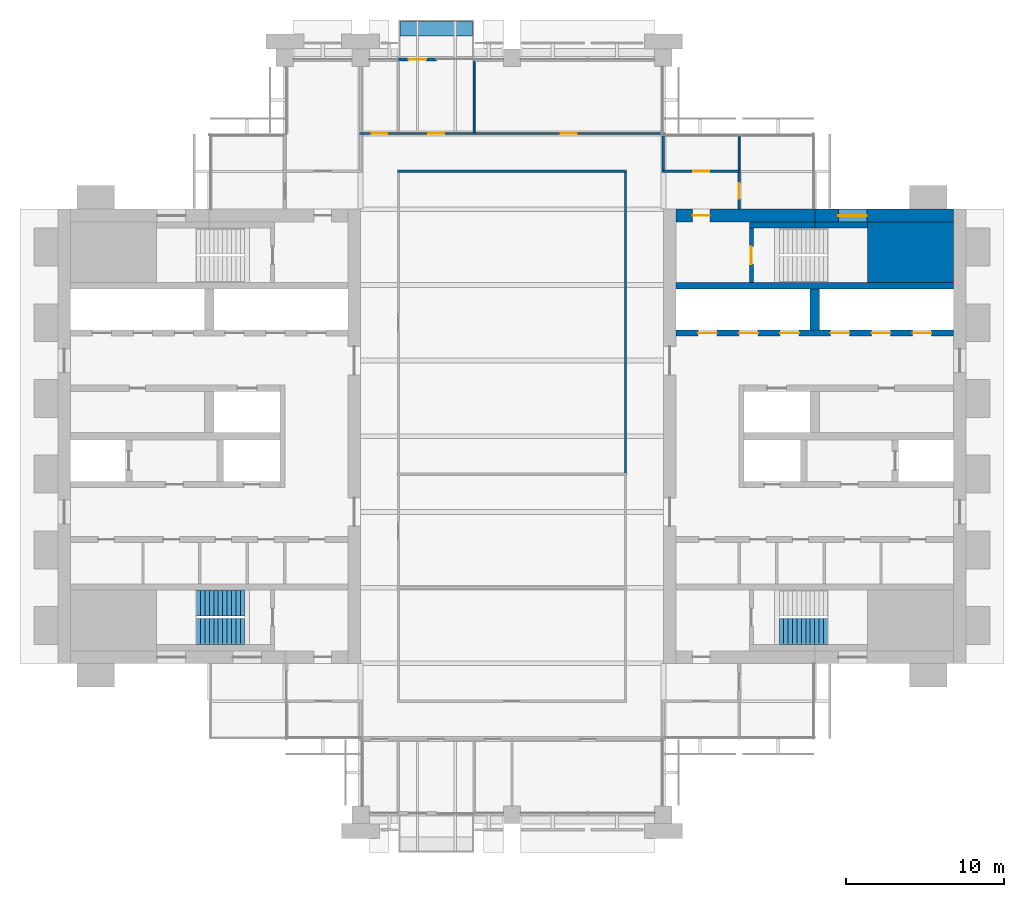
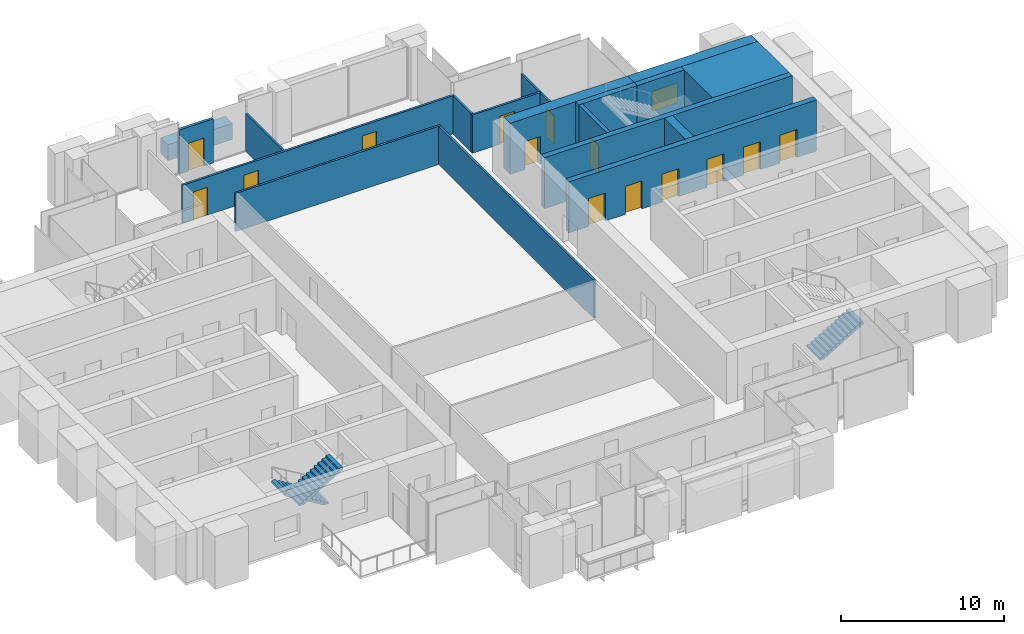
# One storey, part 11 of 14: 19 walls, 14 doors, 3 stair flights, 1 window, 15 openings, 2 elements without a shape of their own.
"""IFC4 building model written with IfcOpenShell, lengths in metres."""

from ifc_helpers import new_model, si_unit, direction, frame, frame_2d, origin, place, context, subcontext, project, spatial, polyline, rectangle, outline, extrude, material, layer, layer_set, type_object, element, fill, aggregate, save


model = new_model("IFC4")

# Units and contexts
model_context = context("Model", 3, precision=1e-05, world=origin(), true_north=direction((0.0, 1.0)))
body_context = subcontext(model_context, "Body", "Model", "MODEL_VIEW")
ifc_project = project(units=[si_unit("LENGTHUNIT", "METRE"), si_unit("AREAUNIT", "SQUARE_METRE"), si_unit("VOLUMEUNIT", "CUBIC_METRE"), si_unit("PLANEANGLEUNIT", "RADIAN"), si_unit("MASSUNIT", "GRAM", prefix="KILO")], contexts=[model_context])

# Site, building, storey
site_placement = place(None, origin())
site = spatial("IfcSite", under=ifc_project, at=site_placement, CompositionType="ELEMENT")
building_placement = place(site_placement, origin())
building = spatial("IfcBuilding", under=site, at=building_placement, Name="Baori Bourse Tower", CompositionType="ELEMENT")
storey_placement = place(building_placement, frame((0.0, 0.0, 209.199951171875)))
storey = spatial("IfcBuildingStorey", under=building, at=storey_placement, Name="L45", CompositionType="ELEMENT", Elevation=209.199951171875)

# Wall
ifc_material_1 = material(Name="Concrete f'c 50 MPa", Category="concrete")
wall_type_1 = type_object("IfcWallType", Name="Core corner block f'c 50", PredefinedType="SHEAR", material=ifc_material_1)
wall_1_placement = place(storey_placement, frame((51.35009765625, 35.675048828125, 0.0), z_axis=(0.0, 0.0, 1.0), x_axis=(1.0, 0.0, 0.0)))
element("IfcWall", 1, at=wall_1_placement, inside=storey, type_object=wall_type_1, Name="Core wall E25", PredefinedType="SHEAR", context=body_context, shape_type="SweptSolid", body=[
    extrude(rectangle(XDim=5.449951171875, YDim=3.85009765625, at=frame_2d((2.72509765625, 0.0))), origin(), (0.0, 0.0, 1.0), 3.840087890625),
])

# Wall, opening, window
ifc_material_2 = material(Name="Concrete f'c 50 MPa", Category="concrete")
ifc_layer_1 = layer(ifc_material_2, 0.800048828125)
ifc_layer_set_1 = layer_set([ifc_layer_1], Name="Core wall 800 f'c 50")
wall_type_2 = type_object("IfcWallType", Name="Core wall 800 f'c 50", PredefinedType="SHEAR", material=ifc_layer_set_1)
wall_2_placement = place(storey_placement, frame((48.0, 38.0, 0.0), z_axis=(0.0, 0.0, 1.0), x_axis=(1.0, 0.0, 0.0)))
wall_2 = element("IfcWall", 2, at=wall_2_placement, inside=storey, type_object=wall_type_2, Name="Core wall E29", PredefinedType="SHEAR", context=body_context, shape_type="SweptSolid", body=[
    extrude(rectangle(XDim=8.800048828125, YDim=0.800048828125, at=frame_2d((4.39990234375, 0.0))), origin(), (0.0, 0.0, 1.0), 3.840087890625),
])
opening_1_placement = place(wall_2_placement, frame((1.5, 0.0, 0.89990234375)))
opening_1 = element("IfcOpeningElement", 3, at=opening_1_placement, cuts=wall_2, Name="Opening L45-KW204", PredefinedType="OPENING", context=body_context, shape_type="SweptSolid", body=[
    extrude(rectangle(XDim=1.800048828125, YDim=1.5, at=frame_2d((0.89990234375, 0.75))), frame((0.0, 0.409912109375, 0.0), z_axis=(0.0, -1.0, 0.0), x_axis=(1.0, 0.0, 0.0)), (0.0, 0.0, 1.0), 0.820068359375),
])
ifc_material_3 = material(Name="Pale anodised aluminium", Category="aluminium")
window_type = type_object("IfcWindowType", Name="Stair window 1800 x 1500", PartitioningType="SINGLE_PANEL", PredefinedType="WINDOW", material=ifc_material_3)
window_placement = place(opening_1_placement, origin())
window = element("IfcWindow", 4, at=window_placement, inside=storey, type_object=window_type, Name="Stair window E L45 4", OverallHeight=1.5, OverallWidth=1.800048828125, PartitioningType="SINGLE_PANEL", PredefinedType="WINDOW", context=body_context, shape_type="SweptSolid", body=[
    extrude(rectangle(XDim=1.800048828125, YDim=1.5, at=frame_2d((0.89990234375, 0.75))), frame((0.0, 0.030029296875, 0.0), z_axis=(0.0, -1.0, 0.0), x_axis=(1.0, 0.0, 0.0)), (0.0, 0.0, 1.0), 0.06005859375),
])
fill(opening_1, window)

# Wall, opening, door
wall_3_placement = place(storey_placement, frame((39.199951171875, 38.0, 0.0), z_axis=(0.0, 0.0, 1.0), x_axis=(1.0, 0.0, 0.0)))
wall_3 = element("IfcWall", 5, at=wall_3_placement, inside=storey, type_object=wall_type_2, Name="Core wall E30", PredefinedType="SHEAR", context=body_context, shape_type="SweptSolid", body=[
    extrude(rectangle(XDim=8.800048828125, YDim=0.800048828125, at=frame_2d((4.39990234375, 0.0))), origin(), (0.0, 0.0, 1.0), 3.840087890625),
])
opening_2_placement = place(wall_3_placement, frame((1.050048828125, 0.0, 0.0)))
opening_2 = element("IfcOpeningElement", 6, at=opening_2_placement, cuts=wall_3, Name="Opening L45-D204", PredefinedType="OPENING", context=body_context, shape_type="SweptSolid", body=[
    extrude(rectangle(XDim=1.10009765625, YDim=2.10009765625, at=frame_2d((0.550048828125, 1.050048828125))), frame((0.0, 0.409912109375, 0.0), z_axis=(0.0, -1.0, 0.0), x_axis=(1.0, 0.0, 0.0)), (0.0, 0.0, 1.0), 0.820068359375),
])
ifc_material_4 = material(Name="Painted steel door", Category="steel")
door_type_1 = type_object("IfcDoorType", Name="Stair door 1100", OperationType="SINGLE_SWING_LEFT", PredefinedType="DOOR", material=ifc_material_4)
door_1_placement = place(opening_2_placement, origin())
door_1 = element("IfcDoor", 7, at=door_1_placement, inside=storey, type_object=door_type_1, Name="Stair vestibule door B E L45", OperationType="SINGLE_SWING_LEFT", OverallHeight=2.10009765625, OverallWidth=1.10009765625, PredefinedType="DOOR", context=body_context, shape_type="SweptSolid", body=[
    extrude(rectangle(XDim=1.10009765625, YDim=2.10009765625, at=frame_2d((0.550048828125, 1.050048828125))), frame((0.0, 0.02490234375, 0.0), z_axis=(0.0, -1.0, 0.0), x_axis=(1.0, 0.0, 0.0)), (0.0, 0.0, 1.0), 0.050048828125),
])
fill(opening_2, door_1)

# Wall
ifc_material_5 = material(Name="Gypsum board partition")
ifc_layer_2 = layer(ifc_material_5, 0.14990234375)
ifc_layer_set_2 = layer_set([ifc_layer_2], Name="Corridor partition 150")
wall_type_3 = type_object("IfcWallType", Name="Corridor partition 150", PredefinedType="PARTITIONING", material=ifc_layer_set_2)
wall_4_placement = place(storey_placement, frame((21.52490234375, 40.800048828125, 0.0), z_axis=(0.0, 0.0, 1.0), x_axis=(1.0, 0.0, 0.0)))
element("IfcWall", 8, at=wall_4_placement, inside=storey, type_object=wall_type_3, Name="Partition", PredefinedType="PARTITIONING", context=body_context, shape_type="SweptSolid", body=[
    extrude(rectangle(XDim=14.550048828125, YDim=0.14990234375, at=frame_2d((7.27490234375, 0.0))), origin(), (0.0, 0.0, 1.0), 2.869873046875),
])

# Wall, opening, door
wall_5_placement = place(storey_placement, frame((38.324951171875, 40.800048828125, 0.0), z_axis=(0.0, 0.0, 1.0), x_axis=(1.0, 0.0, 0.0)))
wall_5 = element("IfcWall", 9, at=wall_5_placement, inside=storey, type_object=wall_type_3, Name="Partition", PredefinedType="PARTITIONING", context=body_context, shape_type="SweptSolid", body=[
    extrude(rectangle(XDim=4.949951171875, YDim=0.14990234375, at=frame_2d((2.47509765625, 0.0))), origin(), (0.0, 0.0, 1.0), 2.869873046875),
])
opening_3_placement = place(wall_5_placement, frame((1.97509765625, 0.0, 0.0)))
opening_3 = element("IfcOpeningElement", 10, at=opening_3_placement, cuts=wall_5, Name="Opening L45-D09", PredefinedType="OPENING", context=body_context, shape_type="SweptSolid", body=[
    extrude(rectangle(XDim=1.0, YDim=2.10009765625, at=frame_2d((0.5, 1.050048828125))), frame((0.0, 0.0849609375, 0.0), z_axis=(0.0, -1.0, 0.0), x_axis=(1.0, 0.0, 0.0)), (0.0, 0.0, 1.0), 0.169921875),
])
ifc_material_6 = material(Name="Timber door leaf", Category="wood")
door_type_2 = type_object("IfcDoorType", Name="Door 1000 x 2100", OperationType="SINGLE_SWING_LEFT", PredefinedType="DOOR", material=ifc_material_6)
door_2_placement = place(opening_3_placement, origin())
door_2 = element("IfcDoor", 11, at=door_2_placement, inside=storey, type_object=door_type_2, Name="Door", OperationType="SINGLE_SWING_RIGHT", OverallHeight=2.10009765625, OverallWidth=1.0, PredefinedType="DOOR", context=body_context, shape_type="SweptSolid", body=[
    extrude(rectangle(XDim=1.0, YDim=2.10009765625, at=frame_2d((0.5, 1.050048828125))), frame((0.0, 0.02490234375, 0.0), z_axis=(0.0, -1.0, 0.0), x_axis=(1.0, 0.0, 0.0)), (0.0, 0.0, 1.0), 0.050048828125),
])
fill(opening_3, door_2)

# Wall, openings, doors
wall_6_placement = place(storey_placement, frame((19.125, 43.199951171875, 0.0), z_axis=(0.0, 0.0, 1.0), x_axis=(1.0, 0.0, 0.0)))
wall_6 = element("IfcWall", 12, at=wall_6_placement, inside=storey, type_object=wall_type_3, Name="Partition", PredefinedType="PARTITIONING", context=body_context, shape_type="SweptSolid", body=[
    extrude(rectangle(XDim=19.35009765625, YDim=0.14990234375, at=frame_2d((9.675048828125, 0.0))), origin(), (0.0, 0.0, 1.0), 2.869873046875),
])
opening_4_placement = place(wall_6_placement, frame((0.77490234375, 0.0, 0.0)))
opening_4 = element("IfcOpeningElement", 13, at=opening_4_placement, cuts=wall_6, Name="Opening L45-D10", PredefinedType="OPENING", context=body_context, shape_type="SweptSolid", body=[
    extrude(rectangle(XDim=1.0, YDim=2.10009765625, at=frame_2d((0.5, 1.050048828125))), frame((0.0, 0.0849609375, 0.0), z_axis=(0.0, -1.0, 0.0), x_axis=(1.0, 0.0, 0.0)), (0.0, 0.0, 1.0), 0.169921875),
])
opening_5_placement = place(wall_6_placement, frame((4.375, 0.0, 0.0)))
opening_5 = element("IfcOpeningElement", 14, at=opening_5_placement, cuts=wall_6, Name="Opening L45-D11", PredefinedType="OPENING", context=body_context, shape_type="SweptSolid", body=[
    extrude(rectangle(XDim=1.0, YDim=2.10009765625, at=frame_2d((0.5, 1.050048828125))), frame((0.0, 0.0849609375, 0.0), z_axis=(0.0, -1.0, 0.0), x_axis=(1.0, 0.0, 0.0)), (0.0, 0.0, 1.0), 0.169921875),
])
opening_6_placement = place(wall_6_placement, frame((12.77490234375, 0.0, 0.0)))
opening_6 = element("IfcOpeningElement", 15, at=opening_6_placement, cuts=wall_6, Name="Opening L45-D12", PredefinedType="OPENING", context=body_context, shape_type="SweptSolid", body=[
    extrude(rectangle(XDim=1.0, YDim=2.10009765625, at=frame_2d((0.5, 1.050048828125))), frame((0.0, 0.0849609375, 0.0), z_axis=(0.0, -1.0, 0.0), x_axis=(1.0, 0.0, 0.0)), (0.0, 0.0, 1.0), 0.169921875),
])
door_3_placement = place(opening_4_placement, origin())
door_3 = element("IfcDoor", 16, at=door_3_placement, inside=storey, type_object=door_type_2, Name="Door", OperationType="SINGLE_SWING_RIGHT", OverallHeight=2.10009765625, OverallWidth=1.0, PredefinedType="DOOR", context=body_context, shape_type="SweptSolid", body=[
    extrude(rectangle(XDim=1.0, YDim=2.10009765625, at=frame_2d((0.5, 1.050048828125))), frame((0.0, 0.02490234375, 0.0), z_axis=(0.0, -1.0, 0.0), x_axis=(1.0, 0.0, 0.0)), (0.0, 0.0, 1.0), 0.050048828125),
])
fill(opening_4, door_3)
door_4_placement = place(opening_5_placement, origin())
door_4 = element("IfcDoor", 17, at=door_4_placement, inside=storey, type_object=door_type_2, Name="Door", OperationType="SINGLE_SWING_RIGHT", OverallHeight=2.10009765625, OverallWidth=1.0, PredefinedType="DOOR", context=body_context, shape_type="SweptSolid", body=[
    extrude(rectangle(XDim=1.0, YDim=2.10009765625, at=frame_2d((0.5, 1.050048828125))), frame((0.0, 0.02490234375, 0.0), z_axis=(0.0, -1.0, 0.0), x_axis=(1.0, 0.0, 0.0)), (0.0, 0.0, 1.0), 0.050048828125),
])
fill(opening_5, door_4)
door_5_placement = place(opening_6_placement, origin())
door_5 = element("IfcDoor", 18, at=door_5_placement, inside=storey, type_object=door_type_2, Name="Door", OperationType="SINGLE_SWING_LEFT", OverallHeight=2.10009765625, OverallWidth=1.0, PredefinedType="DOOR", context=body_context, shape_type="SweptSolid", body=[
    extrude(rectangle(XDim=1.0, YDim=2.10009765625, at=frame_2d((0.5, 1.050048828125))), frame((0.0, 0.02490234375, 0.0), z_axis=(0.0, -1.0, 0.0), x_axis=(1.0, 0.0, 0.0)), (0.0, 0.0, 1.0), 0.050048828125),
])
fill(opening_6, door_5)

# Walls
wall_7_placement = place(storey_placement, frame((36.0, 21.66259765625, 0.0), z_axis=(0.0, 0.0, 1.0), x_axis=(0.0, 1.0, 0.0)))
element("IfcWall", 19, at=wall_7_placement, inside=storey, type_object=wall_type_3, Name="Partition", PredefinedType="PARTITIONING", context=body_context, shape_type="SweptSolid", body=[
    extrude(rectangle(XDim=19.0625, YDim=0.14990234375, at=frame_2d((9.53125, 0.0))), origin(), (0.0, 0.0, 1.0), 2.869873046875),
])
wall_8_placement = place(storey_placement, frame((38.39990234375, 40.875, 0.0), z_axis=(0.0, 0.0, 1.0), x_axis=(0.0, 1.0, 0.0)))
element("IfcWall", 20, at=wall_8_placement, inside=storey, type_object=wall_type_3, Name="Partition", PredefinedType="PARTITIONING", context=body_context, shape_type="SweptSolid", body=[
    extrude(rectangle(XDim=2.25, YDim=0.14990234375, at=frame_2d((1.125, 0.0))), origin(), (0.0, 0.0, 1.0), 2.869873046875),
])

# Wall, opening, door
wall_9_placement = place(storey_placement, frame((43.199951171875, 38.39990234375, 0.0), z_axis=(0.0, 0.0, 1.0), x_axis=(0.0, 1.0, 0.0)))
wall_9 = element("IfcWall", 21, at=wall_9_placement, inside=storey, type_object=wall_type_3, Name="Partition", PredefinedType="PARTITIONING", context=body_context, shape_type="SweptSolid", body=[
    extrude(rectangle(XDim=2.3251953125, YDim=0.14990234375, at=frame_2d((1.16259765625, 0.0))), origin(), (0.0, 0.0, 1.0), 2.869873046875),
])
opening_7_placement = place(wall_9_placement, frame((0.66259765625, 0.0, 0.0)))
opening_7 = element("IfcOpeningElement", 22, at=opening_7_placement, cuts=wall_9, Name="Opening L45-D17", PredefinedType="OPENING", context=body_context, shape_type="SweptSolid", body=[
    extrude(rectangle(XDim=1.0, YDim=2.10009765625, at=frame_2d((0.5, 1.050048828125))), frame((0.0, 0.0849609375, 0.0), z_axis=(0.0, -1.0, 0.0), x_axis=(1.0, 0.0, 0.0)), (0.0, 0.0, 1.0), 0.169921875),
])
door_6_placement = place(opening_7_placement, origin())
door_6 = element("IfcDoor", 23, at=door_6_placement, inside=storey, type_object=door_type_2, Name="Door", OperationType="SINGLE_SWING_LEFT", OverallHeight=2.10009765625, OverallWidth=1.0, PredefinedType="DOOR", context=body_context, shape_type="SweptSolid", body=[
    extrude(rectangle(XDim=1.0, YDim=2.10009765625, at=frame_2d((0.5, 1.050048828125))), frame((0.0, 0.02490234375, 0.0), z_axis=(0.0, -1.0, 0.0), x_axis=(1.0, 0.0, 0.0)), (0.0, 0.0, 1.0), 0.050048828125),
])
fill(opening_7, door_6)

ifc_material_7 = material(Name="Pale anodised aluminium", Category="aluminium")
ifc_layer_3 = layer(ifc_material_7, 0.199951171875)
ifc_layer_set_3 = layer_set([ifc_layer_3], Name="EW1 External wall bay")
wall_type_4 = type_object("IfcWallType", Name="EW1 External wall bay", PredefinedType="SOLIDWALL", material=ifc_layer_set_3)
wall_10_placement = place(storey_placement, frame((24.0, 47.89990234375, 0.0), z_axis=(0.0, 0.0, 1.0), x_axis=(-1.0, 0.0, 0.0)))
wall_10 = element("IfcWall", 24, at=wall_10_placement, inside=storey, type_object=wall_type_4, Name="External wall bay L45 1", PredefinedType="SOLIDWALL", context=body_context, shape_type="SweptSolid", body=[
    extrude(rectangle(XDim=2.39990234375, YDim=0.199951171875, at=frame_2d((1.199951171875, 0.0))), origin(), (0.0, 0.0, 1.0), 3.314208984375),
])
opening_8_placement = place(wall_10_placement, frame((0.64990234375, 0.0, 0.0)))
opening_8 = element("IfcOpeningElement", 25, at=opening_8_placement, cuts=wall_10, Name="Opening L45-D91", PredefinedType="OPENING", context=body_context, shape_type="SweptSolid", body=[
    extrude(rectangle(XDim=1.10009765625, YDim=2.10009765625, at=frame_2d((0.550048828125, 1.050048828125))), frame((0.0, 0.10986328125, 0.0), z_axis=(0.0, -1.0, 0.0), x_axis=(1.0, 0.0, 0.0)), (0.0, 0.0, 1.0), 0.219970703125),
])
ifc_material_8 = material(Name="Pale anodised aluminium", Category="aluminium")
door_type_3 = type_object("IfcDoorType", Name="BL1 Balcony door", OperationType="SINGLE_SWING_LEFT", PredefinedType="DOOR", material=ifc_material_8)
door_7_placement = place(opening_8_placement, origin())
door_7 = element("IfcDoor", 26, at=door_7_placement, inside=storey, type_object=door_type_3, Name="Balcony door L45 1", OperationType="SINGLE_SWING_LEFT", OverallHeight=2.10009765625, OverallWidth=1.10009765625, PredefinedType="DOOR", context=body_context, shape_type="SweptSolid", body=[
    extrude(rectangle(XDim=1.10009765625, YDim=2.10009765625, at=frame_2d((0.550048828125, 1.050048828125))), frame((0.0, 0.02490234375, 0.0), z_axis=(0.0, -1.0, 0.0), x_axis=(1.0, 0.0, 0.0)), (0.0, 0.0, 1.0), 0.050048828125),
])
fill(opening_8, door_7)

# Walls
ifc_material_9 = material(Name="Concrete f'c 40 MPa", Category="concrete")
ifc_layer_4 = layer(ifc_material_9, 0.89990234375)
ifc_layer_set_4 = layer_set([ifc_layer_4], Name="PW1 Planter wall")
wall_type_5 = type_object("IfcWallType", Name="PW1 Planter wall", PredefinedType="USERDEFINED", material=ifc_layer_set_4)
wall_11_placement = place(storey_placement, frame((21.699951171875, 49.85009765625, 0.0), z_axis=(0.0, 0.0, 1.0), x_axis=(1.0, 0.0, 0.0)))
element("IfcWall", 27, at=wall_11_placement, inside=storey, type_object=wall_type_5, Name="Planter balcony N L45 2", ObjectType="PLANTER", PredefinedType="USERDEFINED", context=body_context, shape_type="SweptSolid", body=[
    extrude(rectangle(XDim=4.60009765625, YDim=0.89990234375, at=frame_2d((2.300048828125, 0.0))), origin(), (0.0, 0.0, 1.0), 1.199951171875),
])
ifc_material_10 = material(Name="Gypsum board partition")
ifc_layer_5 = layer(ifc_material_10, 0.125)
ifc_layer_set_5 = layer_set([ifc_layer_5], Name="Partition 125")
wall_type_6 = type_object("IfcWallType", Name="Partition 125", PredefinedType="PARTITIONING", material=ifc_layer_set_5)
wall_12_placement = place(storey_placement, frame((26.39990234375, 43.27490234375, 0.0), z_axis=(0.0, 0.0, 1.0), x_axis=(0.0, 1.0, 0.0)))
element("IfcWall", 28, at=wall_12_placement, inside=storey, type_object=wall_type_6, Name="Partition", PredefinedType="PARTITIONING", context=body_context, shape_type="SweptSolid", body=[
    extrude(rectangle(XDim=4.625, YDim=0.125, at=frame_2d((2.3125, 0.0))), origin(), (0.0, 0.0, 1.0), 2.869873046875),
])
wall_13_placement = place(storey_placement, frame((43.199951171875, 40.875, 0.0), z_axis=(0.0, 0.0, 1.0), x_axis=(0.0, 1.0, 0.0)))
element("IfcWall", 29, at=wall_13_placement, inside=storey, type_object=wall_type_6, Name="Partition", PredefinedType="PARTITIONING", context=body_context, shape_type="SweptSolid", body=[
    extrude(rectangle(XDim=2.22509765625, YDim=0.125, at=frame_2d((1.112548828125, 0.0))), origin(), (0.0, 0.0, 1.0), 2.869873046875),
])

# Wall, opening, door
ifc_material_11 = material(Name="Concrete f'c 50 MPa", Category="concrete")
ifc_layer_6 = layer(ifc_material_11, 0.25)
ifc_layer_set_6 = layer_set([ifc_layer_6], Name="Shaft wall 250 f'c 50")
wall_type_7 = type_object("IfcWallType", Name="Shaft wall 250 f'c 50", PredefinedType="SHEAR", material=ifc_layer_set_6)
wall_14_placement = place(storey_placement, frame((43.97509765625, 33.75, 0.0), z_axis=(0.0, 0.0, 1.0), x_axis=(0.0, 1.0, 0.0)))
wall_14 = element("IfcWall", 30, at=wall_14_placement, inside=storey, type_object=wall_type_7, Name="Core wall E26", PredefinedType="SHEAR", context=body_context, shape_type="SweptSolid", body=[
    extrude(rectangle(XDim=3.449951171875, YDim=0.25, at=frame_2d((1.72509765625, 0.0))), origin(), (0.0, 0.0, 1.0), 3.840087890625),
])
opening_9_placement = place(wall_14_placement, frame((1.175048828125, 0.0, 0.0)))
opening_9 = element("IfcOpeningElement", 31, at=opening_9_placement, cuts=wall_14, Name="Opening L45-D203", PredefinedType="OPENING", context=body_context, shape_type="SweptSolid", body=[
    extrude(rectangle(XDim=1.10009765625, YDim=2.10009765625, at=frame_2d((0.550048828125, 1.050048828125))), frame((0.0, 0.135009765625, 0.0), z_axis=(0.0, -1.0, 0.0), x_axis=(1.0, 0.0, 0.0)), (0.0, 0.0, 1.0), 0.27001953125),
])
door_8_placement = place(opening_9_placement, origin())
door_8 = element("IfcDoor", 32, at=door_8_placement, inside=storey, type_object=door_type_1, Name="Stair door B E L45", OperationType="SINGLE_SWING_LEFT", OverallHeight=2.10009765625, OverallWidth=1.10009765625, PredefinedType="DOOR", context=body_context, shape_type="SweptSolid", body=[
    extrude(rectangle(XDim=1.10009765625, YDim=2.10009765625, at=frame_2d((0.550048828125, 1.050048828125))), frame((0.0, 0.02490234375, 0.0), z_axis=(0.0, -1.0, 0.0), x_axis=(1.0, 0.0, 0.0)), (0.0, 0.0, 1.0), 0.050048828125),
])
fill(opening_9, door_8)

# Wall, openings, doors
ifc_material_12 = material(Name="Concrete f'c 50 MPa", Category="concrete")
ifc_layer_7 = layer(ifc_material_12, 0.39990234375)
ifc_layer_set_7 = layer_set([ifc_layer_7], Name="Shaft wall 400 f'c 50")
wall_type_8 = type_object("IfcWallType", Name="Shaft wall 400 f'c 50", PredefinedType="SHEAR", material=ifc_layer_set_7)
wall_15_placement = place(storey_placement, frame((39.199951171875, 30.550048828125, 0.0), z_axis=(0.0, 0.0, 1.0), x_axis=(1.0, 0.0, 0.0)))
wall_15 = element("IfcWall", 33, at=wall_15_placement, inside=storey, type_object=wall_type_8, Name="Core wall E22", PredefinedType="SHEAR", context=body_context, shape_type="SweptSolid", body=[
    extrude(rectangle(XDim=17.60009765625, YDim=0.39990234375, at=frame_2d((8.800048828125, 0.0))), origin(), (0.0, 0.0, 1.0), 3.840087890625),
])
opening_10_placement = place(wall_15_placement, frame((15.0, 0.0, 0.0)))
opening_10 = element("IfcOpeningElement", 34, at=opening_10_placement, cuts=wall_15, Name="Opening L45-D215", PredefinedType="OPENING", context=body_context, shape_type="SweptSolid", body=[
    extrude(rectangle(XDim=1.199951171875, YDim=2.10009765625, at=frame_2d((0.60009765625, 1.050048828125))), frame((0.0, 0.2099609375, 0.0), z_axis=(0.0, -1.0, 0.0), x_axis=(1.0, 0.0, 0.0)), (0.0, 0.0, 1.0), 0.419921875),
])
opening_11_placement = place(wall_15_placement, frame((12.39990234375, 0.0, 0.0)))
opening_11 = element("IfcOpeningElement", 35, at=opening_11_placement, cuts=wall_15, Name="Opening L45-D216", PredefinedType="OPENING", context=body_context, shape_type="SweptSolid", body=[
    extrude(rectangle(XDim=1.199951171875, YDim=2.10009765625, at=frame_2d((0.60009765625, 1.050048828125))), frame((0.0, 0.2099609375, 0.0), z_axis=(0.0, -1.0, 0.0), x_axis=(1.0, 0.0, 0.0)), (0.0, 0.0, 1.0), 0.419921875),
])
opening_12_placement = place(wall_15_placement, frame((9.800048828125, 0.0, 0.0)))
opening_12 = element("IfcOpeningElement", 36, at=opening_12_placement, cuts=wall_15, Name="Opening L45-D217", PredefinedType="OPENING", context=body_context, shape_type="SweptSolid", body=[
    extrude(rectangle(XDim=1.199951171875, YDim=2.10009765625, at=frame_2d((0.60009765625, 1.050048828125))), frame((0.0, 0.2099609375, 0.0), z_axis=(0.0, -1.0, 0.0), x_axis=(1.0, 0.0, 0.0)), (0.0, 0.0, 1.0), 0.419921875),
])
opening_13_placement = place(wall_15_placement, frame((6.60009765625, 0.0, 0.0)))
opening_13 = element("IfcOpeningElement", 37, at=opening_13_placement, cuts=wall_15, Name="Opening L45-D218", PredefinedType="OPENING", context=body_context, shape_type="SweptSolid", body=[
    extrude(rectangle(XDim=1.199951171875, YDim=2.10009765625, at=frame_2d((0.60009765625, 1.050048828125))), frame((0.0, 0.2099609375, 0.0), z_axis=(0.0, -1.0, 0.0), x_axis=(1.0, 0.0, 0.0)), (0.0, 0.0, 1.0), 0.419921875),
])
opening_14_placement = place(wall_15_placement, frame((4.0, 0.0, 0.0)))
opening_14 = element("IfcOpeningElement", 38, at=opening_14_placement, cuts=wall_15, Name="Opening L45-D219", PredefinedType="OPENING", context=body_context, shape_type="SweptSolid", body=[
    extrude(rectangle(XDim=1.199951171875, YDim=2.10009765625, at=frame_2d((0.60009765625, 1.050048828125))), frame((0.0, 0.2099609375, 0.0), z_axis=(0.0, -1.0, 0.0), x_axis=(1.0, 0.0, 0.0)), (0.0, 0.0, 1.0), 0.419921875),
])
opening_15_placement = place(wall_15_placement, frame((1.39990234375, 0.0, 0.0)))
opening_15 = element("IfcOpeningElement", 39, at=opening_15_placement, cuts=wall_15, Name="Opening L45-D220", PredefinedType="OPENING", context=body_context, shape_type="SweptSolid", body=[
    extrude(rectangle(XDim=1.199951171875, YDim=2.10009765625, at=frame_2d((0.60009765625, 1.050048828125))), frame((0.0, 0.2099609375, 0.0), z_axis=(0.0, -1.0, 0.0), x_axis=(1.0, 0.0, 0.0)), (0.0, 0.0, 1.0), 0.419921875),
])
ifc_material_13 = material(Name="Stainless steel door", Category="steel")
door_type_4 = type_object("IfcDoorType", Name="Lift landing door", OperationType="DOUBLE_DOOR_SLIDING", PredefinedType="DOOR", material=ifc_material_13)
door_9_placement = place(opening_10_placement, origin())
door_9 = element("IfcDoor", 40, at=door_9_placement, inside=storey, type_object=door_type_4, Name="Lift landing door HR1 E L45", OperationType="DOUBLE_DOOR_SLIDING", OverallHeight=2.10009765625, OverallWidth=1.199951171875, PredefinedType="DOOR", context=body_context, shape_type="SweptSolid", body=[
    extrude(rectangle(XDim=1.199951171875, YDim=2.10009765625, at=frame_2d((0.60009765625, 1.050048828125))), frame((0.0, 0.02490234375, 0.0), z_axis=(0.0, -1.0, 0.0), x_axis=(1.0, 0.0, 0.0)), (0.0, 0.0, 1.0), 0.050048828125),
])
fill(opening_10, door_9)
door_10_placement = place(opening_11_placement, origin())
door_10 = element("IfcDoor", 41, at=door_10_placement, inside=storey, type_object=door_type_4, Name="Lift landing door HR2 E L45", OperationType="DOUBLE_DOOR_SLIDING", OverallHeight=2.10009765625, OverallWidth=1.199951171875, PredefinedType="DOOR", context=body_context, shape_type="SweptSolid", body=[
    extrude(rectangle(XDim=1.199951171875, YDim=2.10009765625, at=frame_2d((0.60009765625, 1.050048828125))), frame((0.0, 0.02490234375, 0.0), z_axis=(0.0, -1.0, 0.0), x_axis=(1.0, 0.0, 0.0)), (0.0, 0.0, 1.0), 0.050048828125),
])
fill(opening_11, door_10)
door_11_placement = place(opening_12_placement, origin())
door_11 = element("IfcDoor", 42, at=door_11_placement, inside=storey, type_object=door_type_4, Name="Lift landing door HR3 E L45", OperationType="DOUBLE_DOOR_SLIDING", OverallHeight=2.10009765625, OverallWidth=1.199951171875, PredefinedType="DOOR", context=body_context, shape_type="SweptSolid", body=[
    extrude(rectangle(XDim=1.199951171875, YDim=2.10009765625, at=frame_2d((0.60009765625, 1.050048828125))), frame((0.0, 0.02490234375, 0.0), z_axis=(0.0, -1.0, 0.0), x_axis=(1.0, 0.0, 0.0)), (0.0, 0.0, 1.0), 0.050048828125),
])
fill(opening_12, door_11)
door_12_placement = place(opening_13_placement, origin())
door_12 = element("IfcDoor", 43, at=door_12_placement, inside=storey, type_object=door_type_4, Name="Lift landing door HR4 E L45", OperationType="DOUBLE_DOOR_SLIDING", OverallHeight=2.10009765625, OverallWidth=1.199951171875, PredefinedType="DOOR", context=body_context, shape_type="SweptSolid", body=[
    extrude(rectangle(XDim=1.199951171875, YDim=2.10009765625, at=frame_2d((0.60009765625, 1.050048828125))), frame((0.0, 0.02490234375, 0.0), z_axis=(0.0, -1.0, 0.0), x_axis=(1.0, 0.0, 0.0)), (0.0, 0.0, 1.0), 0.050048828125),
])
fill(opening_13, door_12)
door_13_placement = place(opening_14_placement, origin())
door_13 = element("IfcDoor", 44, at=door_13_placement, inside=storey, type_object=door_type_4, Name="Lift landing door HR5 E L45", OperationType="DOUBLE_DOOR_SLIDING", OverallHeight=2.10009765625, OverallWidth=1.199951171875, PredefinedType="DOOR", context=body_context, shape_type="SweptSolid", body=[
    extrude(rectangle(XDim=1.199951171875, YDim=2.10009765625, at=frame_2d((0.60009765625, 1.050048828125))), frame((0.0, 0.02490234375, 0.0), z_axis=(0.0, -1.0, 0.0), x_axis=(1.0, 0.0, 0.0)), (0.0, 0.0, 1.0), 0.050048828125),
])
fill(opening_14, door_13)
door_14_placement = place(opening_15_placement, origin())
door_14 = element("IfcDoor", 45, at=door_14_placement, inside=storey, type_object=door_type_4, Name="Lift landing door HR6 E L45", OperationType="DOUBLE_DOOR_SLIDING", OverallHeight=2.10009765625, OverallWidth=1.199951171875, PredefinedType="DOOR", context=body_context, shape_type="SweptSolid", body=[
    extrude(rectangle(XDim=1.199951171875, YDim=2.10009765625, at=frame_2d((0.60009765625, 1.050048828125))), frame((0.0, 0.02490234375, 0.0), z_axis=(0.0, -1.0, 0.0), x_axis=(1.0, 0.0, 0.0)), (0.0, 0.0, 1.0), 0.050048828125),
])
fill(opening_15, door_14)

# Walls
wall_16_placement = place(storey_placement, frame((39.199951171875, 33.550048828125, 0.0), z_axis=(0.0, 0.0, 1.0), x_axis=(1.0, 0.0, 0.0)))
element("IfcWall", 46, at=wall_16_placement, inside=storey, type_object=wall_type_8, Name="Core wall E24", PredefinedType="SHEAR", context=body_context, shape_type="SweptSolid", body=[
    extrude(rectangle(XDim=17.60009765625, YDim=0.39990234375, at=frame_2d((8.800048828125, 0.0))), origin(), (0.0, 0.0, 1.0), 3.840087890625),
])
wall_17_placement = place(storey_placement, frame((48.0, 37.39990234375, 0.0), z_axis=(0.0, 0.0, 1.0), x_axis=(1.0, 0.0, 0.0)))
element("IfcWall", 47, at=wall_17_placement, inside=storey, type_object=wall_type_8, Name="Core wall E27", PredefinedType="SHEAR", context=body_context, shape_type="SweptSolid", body=[
    extrude(rectangle(XDim=3.35009765625, YDim=0.39990234375, at=frame_2d((1.675048828125, 0.0))), origin(), (0.0, 0.0, 1.0), 3.840087890625),
])
wall_18_placement = place(storey_placement, frame((43.85009765625, 37.39990234375, 0.0), z_axis=(0.0, 0.0, 1.0), x_axis=(1.0, 0.0, 0.0)))
element("IfcWall", 48, at=wall_18_placement, inside=storey, type_object=wall_type_8, Name="Core wall E28", PredefinedType="SHEAR", context=body_context, shape_type="SweptSolid", body=[
    extrude(rectangle(XDim=4.14990234375, YDim=0.39990234375, at=frame_2d((2.074951171875, 0.0))), origin(), (0.0, 0.0, 1.0), 3.840087890625),
])
ifc_material_14 = material(Name="Concrete f'c 50 MPa", Category="concrete")
ifc_layer_8 = layer(ifc_material_14, 0.60009765625)
ifc_layer_set_8 = layer_set([ifc_layer_8], Name="Shaft wall 600 f'c 50")
wall_type_9 = type_object("IfcWallType", Name="Shaft wall 600 f'c 50", PredefinedType="SHEAR", material=ifc_layer_set_8)
wall_19_placement = place(storey_placement, frame((48.0, 30.75, 0.0), z_axis=(0.0, 0.0, 1.0), x_axis=(0.0, 1.0, 0.0)))
element("IfcWall", 49, at=wall_19_placement, inside=storey, type_object=wall_type_9, Name="Core wall E23", PredefinedType="SHEAR", context=body_context, shape_type="SweptSolid", body=[
    extrude(rectangle(XDim=2.60009765625, YDim=0.60009765625, at=frame_2d((1.300048828125, 0.0))), origin(), (0.0, 0.0, 1.0), 3.840087890625),
])

# Stair, stair flights
ifc_material_15 = material(Name="Concrete f'c 50 MPa", Category="concrete")
stair_type = type_object("IfcStairType", Name="Core stair", PredefinedType="HALF_TURN_STAIR", material=ifc_material_15)
stair_1_placement = place(storey_placement, origin())
stair_1 = element("IfcStair", 50, at=stair_1_placement, inside=storey, type_object=stair_type, Name="L45 Stair WA", PredefinedType="HALF_TURN_STAIR")
ifc_material_16 = material(Name="Concrete f'c 50 MPa", Category="concrete")
stair_flight_type = type_object("IfcStairFlightType", Name="Core stair flight", PredefinedType="STRAIGHT", material=ifc_material_16)
stair_flight_1_placement = place(storey_placement, frame((11.85009765625, 13.425048828125, 0.0), z_axis=(0.0, 0.0, 1.0), x_axis=(-1.0, 0.0, 0.0)))
stair_flight_1 = element("IfcStairFlight", 51, at=stair_flight_1_placement, type_object=stair_flight_type, Name="ST1 flight 1", NumberOfRisers=12, NumberOfTreads=11, PredefinedType="STRAIGHT", RiserHeight=0.166666667, TreadLength=0.28, context=body_context, shape_type="SweptSolid", body=[
    extrude(outline(polyline([(0.0, 0.0), (0.0, 0.166748046875), (0.280029296875, 0.166748046875), (0.280029296875, 0.333251953125), (0.56005859375, 0.333251953125), (0.56005859375, 0.5), (0.840087890625, 0.5), (0.840087890625, 0.666748046875), (1.1201171875, 0.666748046875), (1.1201171875, 0.833251953125), (1.39990234375, 0.833251953125), (1.39990234375, 1.0), (1.679931640625, 1.0), (1.679931640625, 1.166748046875), (1.9599609375, 1.166748046875), (1.9599609375, 1.333251953125), (2.239990234375, 1.333251953125), (2.239990234375, 1.5), (2.52001953125, 1.5), (2.52001953125, 1.666748046875), (2.800048828125, 1.666748046875), (2.800048828125, 1.833251953125), (3.080078125, 1.833251953125), (3.080078125, 2.0), (3.080078125, 1.658935546875), (0.29296875, 0.0), (0.0, 0.0)])), frame((0.0, 0.824951171875, 0.0), z_axis=(0.0, -1.0, 0.0), x_axis=(1.0, 0.0, 0.0)), (0.0, 0.0, 1.0), 1.64990234375),
])
stair_flight_2_placement = place(storey_placement, frame((8.77001953125, 11.625, 2.0), z_axis=(0.0, 0.0, 1.0), x_axis=(1.0, 0.0, 0.0)))
stair_flight_2 = element("IfcStairFlight", 52, at=stair_flight_2_placement, type_object=stair_flight_type, Name="ST1 flight 2", NumberOfRisers=12, NumberOfTreads=11, PredefinedType="STRAIGHT", RiserHeight=0.166666667, TreadLength=0.28, context=body_context, shape_type="SweptSolid", body=[
    extrude(outline(polyline([(0.0, 0.0), (0.0, 0.166748046875), (0.280029296875, 0.166748046875), (0.280029296875, 0.333251953125), (0.56005859375, 0.333251953125), (0.56005859375, 0.5), (0.840087890625, 0.5), (0.840087890625, 0.666748046875), (1.1201171875, 0.666748046875), (1.1201171875, 0.833251953125), (1.39990234375, 0.833251953125), (1.39990234375, 1.0), (1.679931640625, 1.0), (1.679931640625, 1.166748046875), (1.9599609375, 1.166748046875), (1.9599609375, 1.333251953125), (2.239990234375, 1.333251953125), (2.239990234375, 1.5), (2.52001953125, 1.5), (2.52001953125, 1.666748046875), (2.800048828125, 1.666748046875), (2.800048828125, 1.833251953125), (3.080078125, 1.833251953125), (3.080078125, 2.0), (3.080078125, 1.658935546875), (0.29296875, 0.0), (0.0, 0.0)])), frame((0.0, 0.824951171875, 0.0), z_axis=(0.0, -1.0, 0.0), x_axis=(1.0, 0.0, 0.0)), (0.0, 0.0, 1.0), 1.64990234375),
])
aggregate(stair_1, [stair_flight_1, stair_flight_2])

# Stair, stair flight
stair_2_placement = place(storey_placement, origin())
stair_2 = element("IfcStair", 53, at=stair_2_placement, inside=storey, type_object=stair_type, Name="L45 Stair EA", PredefinedType="HALF_TURN_STAIR")
stair_flight_3_placement = place(storey_placement, frame((45.75, 11.625, 0.0), z_axis=(0.0, 0.0, 1.0), x_axis=(1.0, 0.0, 0.0)))
stair_flight_3 = element("IfcStairFlight", 54, at=stair_flight_3_placement, type_object=stair_flight_type, Name="ST3 flight 1", NumberOfRisers=12, NumberOfTreads=11, PredefinedType="STRAIGHT", RiserHeight=0.166666667, TreadLength=0.28, context=body_context, shape_type="SweptSolid", body=[
    extrude(outline(polyline([(0.0, 0.0), (0.0, 0.166748046875), (0.280029296875, 0.166748046875), (0.280029296875, 0.333251953125), (0.56005859375, 0.333251953125), (0.56005859375, 0.5), (0.840087890625, 0.5), (0.840087890625, 0.666748046875), (1.1201171875, 0.666748046875), (1.1201171875, 0.833251953125), (1.39990234375, 0.833251953125), (1.39990234375, 1.0), (1.679931640625, 1.0), (1.679931640625, 1.166748046875), (1.9599609375, 1.166748046875), (1.9599609375, 1.333251953125), (2.239990234375, 1.333251953125), (2.239990234375, 1.5), (2.52001953125, 1.5), (2.52001953125, 1.666748046875), (2.800048828125, 1.666748046875), (2.800048828125, 1.833251953125), (3.080078125, 1.833251953125), (3.080078125, 2.0), (3.080078125, 1.658935546875), (0.29296875, 0.0), (0.0, 0.0)])), frame((0.0, 0.824951171875, 0.0), z_axis=(0.0, -1.0, 0.0), x_axis=(1.0, 0.0, 0.0)), (0.0, 0.0, 1.0), 1.64990234375),
])
aggregate(stair_2, [stair_flight_3])

save(model, "model.ifc")
